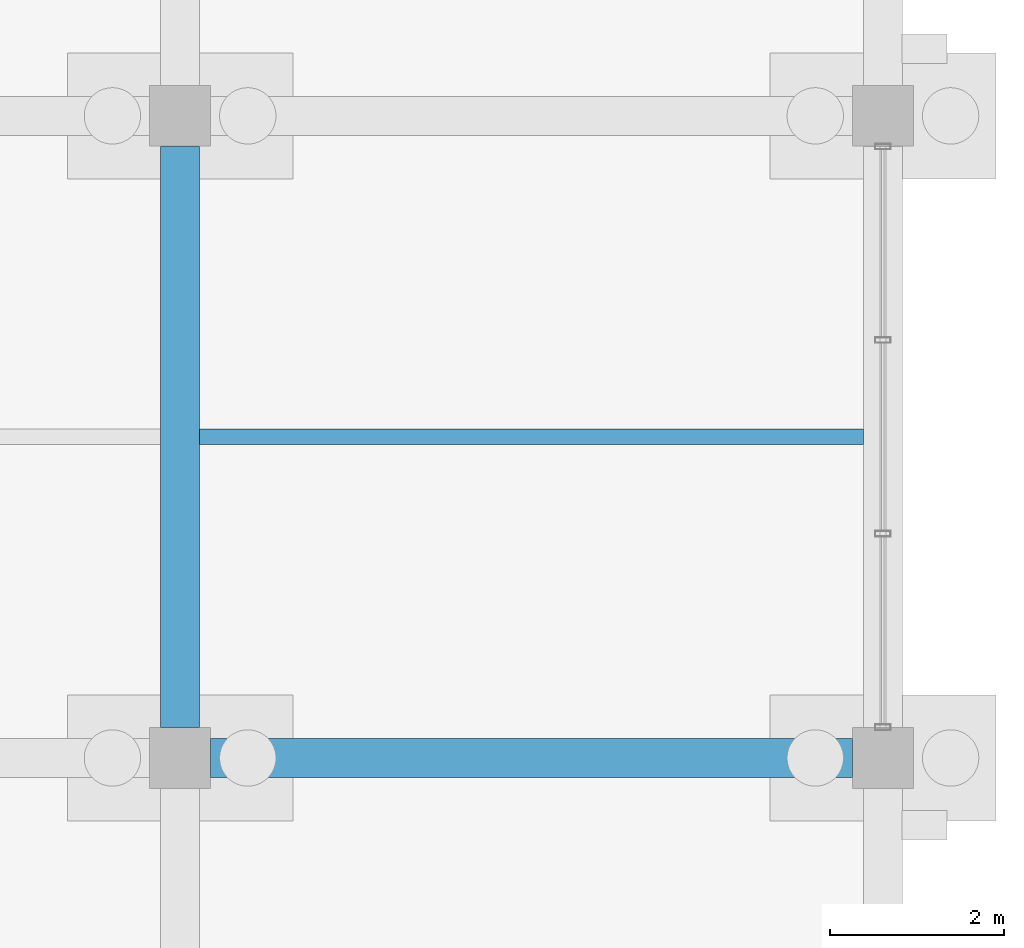
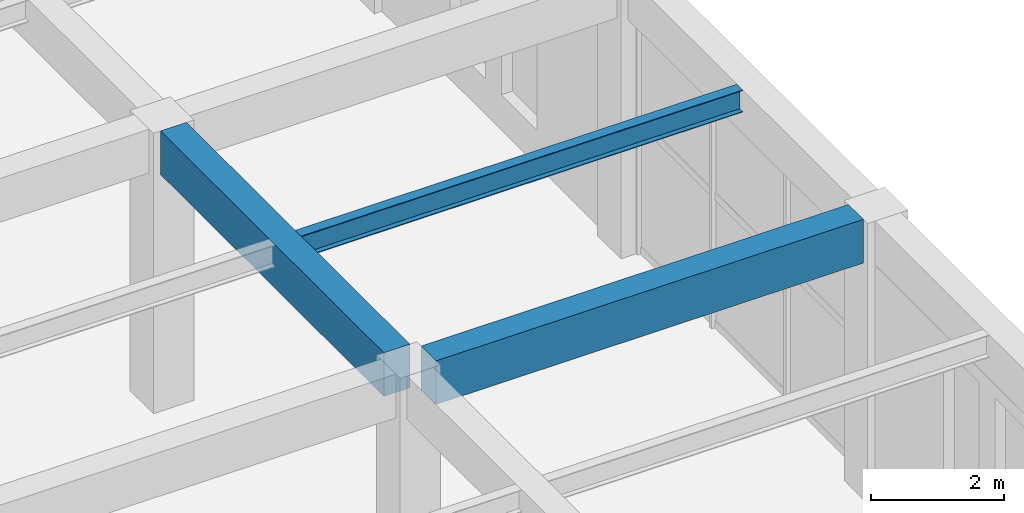
# One storey, part 81 of 140: 3 beams.
"""IFC4 building model written with IfcOpenShell, lengths in metres."""

from ifc_helpers import new_model, si_unit, direction, frame, origin, origin_2d, place, context, subcontext, project, spatial, rectangle, i_section, extrude, material, material_profile, profile_set, type_object, element, save


model = new_model("IFC4")

# Units and contexts
model_context = context("Model", 3, precision=1e-05, world=origin(), true_north=direction((0.0, 1.0)))
body_context = subcontext(model_context, "Body", "Model", "MODEL_VIEW")
ifc_project = project(units=[si_unit("LENGTHUNIT", "METRE"), si_unit("AREAUNIT", "SQUARE_METRE"), si_unit("VOLUMEUNIT", "CUBIC_METRE"), si_unit("PLANEANGLEUNIT", "RADIAN"), si_unit("MASSUNIT", "GRAM", prefix="KILO")], contexts=[model_context])

# Site, building, storey
site_placement = place(None, origin())
site = spatial("IfcSite", under=ifc_project, at=site_placement, CompositionType="ELEMENT")
building_placement = place(site_placement, origin())
building = spatial("IfcBuilding", under=site, at=building_placement, Name="Cimatlan Art Gallery", CompositionType="ELEMENT")
storey_placement = place(building_placement, origin())
storey = spatial("IfcBuildingStorey", under=building, at=storey_placement, Name="L00", CompositionType="ELEMENT", Elevation=0.0)

# Beams
ifc_material_1 = material(Name="Concrete C40/50", Category="concrete")
ifc_material_profile_1 = material_profile(ifc_material_1, rectangle(XDim=0.449951171875, YDim=0.800048828125, at=origin_2d()), Name="RC450X800")
ifc_profile_set_1 = profile_set([ifc_material_profile_1], Name="Concrete C40/50")
beam_type_1 = type_object("IfcBeamType", Name="BM-RC-450X800", PredefinedType="BEAM", material=ifc_profile_set_1)
beam_1_placement = place(storey_placement, frame((123.5, 76.050048828125, 4.735107421875), z_axis=(0.0, 1.0, 0.0), x_axis=(-1.0, 0.0, 0.0)))
element("IfcBeam", 1, at=beam_1_placement, inside=storey, type_object=beam_type_1, Name="BM-Y-L00-15-10", PredefinedType="BEAM", context=body_context, shape_type="SweptSolid", body=[
    extrude(rectangle(XDim=0.449951171875, YDim=0.800048828125, at=origin_2d()), origin(), (0.0, 0.0, 1.0), 6.699951171875),
])
beam_2_placement = place(storey_placement, frame((123.85009765625, 75.699951171875, 4.735107421875), z_axis=(1.0, 0.0, 0.0), x_axis=(0.0, 1.0, 0.0)))
element("IfcBeam", 2, at=beam_2_placement, inside=storey, type_object=beam_type_1, Name="BM-X-L00-15-10", PredefinedType="BEAM", context=body_context, shape_type="SweptSolid", body=[
    extrude(rectangle(XDim=0.449951171875, YDim=0.800048828125, at=origin_2d()), origin(), (0.0, 0.0, 1.0), 7.39990234375),
])
ifc_material_2 = material(Name="Steel ASTM A992 Grade 50", Category="steel")
ifc_material_profile_2 = material_profile(ifc_material_2, i_section(OverallWidth=0.177978515625, OverallDepth=0.406982421875, WebThickness=0.0078125, FlangeThickness=0.0126953125, at=origin_2d()), Name="W16X40")
ifc_profile_set_2 = profile_set([ifc_material_profile_2], Name="Steel ASTM A992 Grade 50")
beam_type_2 = type_object("IfcBeamType", Name="BM-STL-W16X40", PredefinedType="JOIST", material=ifc_profile_set_2)
beam_3_placement = place(storey_placement, frame((123.72509765625, 79.39990234375, 4.931396484375), z_axis=(1.0, 0.0, 0.0), x_axis=(0.0, 1.0, 0.0)))
element("IfcBeam", 3, at=beam_3_placement, inside=storey, type_object=beam_type_2, Name="JST-L00-15-10", PredefinedType="JOIST", context=body_context, shape_type="SweptSolid", body=[
    extrude(i_section(OverallWidth=0.177978515625, OverallDepth=0.406982421875, WebThickness=0.0078125, FlangeThickness=0.0126953125, at=origin_2d()), origin(), (0.0, 0.0, 1.0), 7.64990234375),
])

save(model, "model.ifc")
